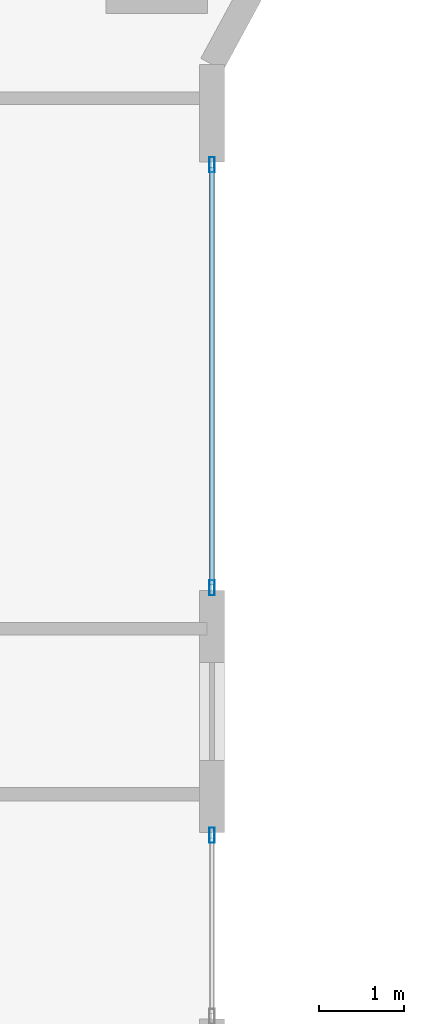
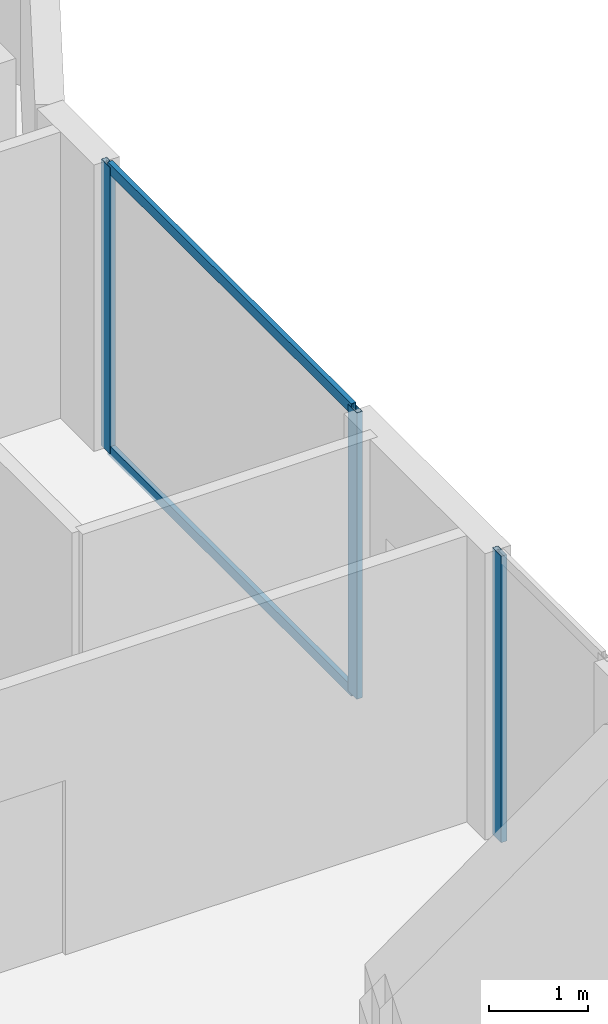
# One storey, part 12 of 32: 5 members, 2 elements without a shape of their own.
"""IFC4 building model written with IfcOpenShell, lengths in metres."""

from ifc_helpers import new_model, si_unit, direction, frame, origin, origin_2d, place, context, subcontext, project, spatial, hollow_rectangle, extrude, material, layer, layer_set, material_profile, profile_set, type_object, element, aggregate, save


model = new_model("IFC4")

# Units and contexts
model_context = context("Model", 3, precision=1e-05, world=origin(), true_north=direction((0.0, 1.0)))
body_context = subcontext(model_context, "Body", "Model", "MODEL_VIEW")
ifc_project = project(units=[si_unit("LENGTHUNIT", "METRE"), si_unit("AREAUNIT", "SQUARE_METRE"), si_unit("VOLUMEUNIT", "CUBIC_METRE"), si_unit("PLANEANGLEUNIT", "RADIAN"), si_unit("MASSUNIT", "GRAM", prefix="KILO")], contexts=[model_context])

# Site, building, storey
site_placement = place(None, origin())
site = spatial("IfcSite", under=ifc_project, at=site_placement, CompositionType="ELEMENT")
building_placement = place(site_placement, origin())
building = spatial("IfcBuilding", under=site, at=building_placement, Name="Zuhayl Quay Hotel", CompositionType="ELEMENT")
storey_placement = place(building_placement, frame((0.0, 0.0, 226.14990234375)))
storey = spatial("IfcBuildingStorey", under=building, at=storey_placement, Name="L57", CompositionType="ELEMENT", Elevation=226.14990234375)

# Curtain wall, members
ifc_material_1 = material(Name="Anodised Aluminium 6063-T6", Category="aluminium")
ifc_layer = layer(ifc_material_1, 0.175048828125, Name="Anodised Aluminium 6063-T6", Category="aluminium")
ifc_layer_set = layer_set([ifc_layer], Name="Anodised Aluminium 6063-T6")
curtain_wall_type = type_object("IfcCurtainWallType", Name="CW_SYS_Z3", PredefinedType="USERDEFINED", material=ifc_layer_set)
curtain_wall_1_placement = place(storey_placement, origin())
curtain_wall_1 = element("IfcCurtainWall", 1, at=curtain_wall_1_placement, inside=storey, type_object=curtain_wall_type, Name="L57 Curtain Wall ENV_L57_E14_CW1", ObjectType="UNITISED CURTAIN WALL", PredefinedType="USERDEFINED")
ifc_material_2 = material(Name="Black-anodised aluminium 6063-T6", Category="aluminium")
ifc_material_profile_1 = material_profile(ifc_material_2, hollow_rectangle(XDim=0.06494140625, YDim=0.179931640625, WallThickness=0.00341796875, at=origin_2d()), Name="ALU180X65")
ifc_profile_set_1 = profile_set([ifc_material_profile_1], Name="Black-anodised aluminium 6063-T6")
member_type_1 = type_object("IfcMemberType", Name="MB_CW_MUL_180", PredefinedType="MULLION", material=ifc_profile_set_1)
member_1_placement = place(storey_placement, frame((22.10009765625, 7.017578125, 0.0), z_axis=(0.0, 0.0, 1.0), x_axis=(1.0, 0.0, 0.0)))
member_1 = element("IfcMember", 2, at=member_1_placement, type_object=member_type_1, Name="CW-Z3 mullion 1", PredefinedType="MULLION", context=body_context, shape_type="SweptSolid", body=[
    extrude(hollow_rectangle(XDim=0.06494140625, YDim=0.179931640625, WallThickness=0.00341796875, at=origin_2d()), origin(), (0.0, 0.0, 1.0), 3.530029296875),
])
member_2_placement = place(storey_placement, frame((22.10009765625, 2.032470703125, 0.0), z_axis=(0.0, 0.0, 1.0), x_axis=(1.0, 0.0, 0.0)))
member_2 = element("IfcMember", 3, at=member_2_placement, type_object=member_type_1, Name="CW-Z3 mullion 2", PredefinedType="MULLION", context=body_context, shape_type="SweptSolid", body=[
    extrude(hollow_rectangle(XDim=0.06494140625, YDim=0.179931640625, WallThickness=0.00341796875, at=origin_2d()), origin(), (0.0, 0.0, 1.0), 3.530029296875),
])

# Curtain wall, member
curtain_wall_2_placement = place(storey_placement, origin())
curtain_wall_2 = element("IfcCurtainWall", 4, at=curtain_wall_2_placement, inside=storey, type_object=curtain_wall_type, Name="L57 Curtain Wall ENV_L57_E14_CW2", ObjectType="UNITISED CURTAIN WALL", PredefinedType="USERDEFINED")
member_3_placement = place(storey_placement, frame((22.10009765625, -0.882568359375, 0.0), z_axis=(0.0, 0.0, 1.0), x_axis=(1.0, 0.0, 0.0)))
member_3 = element("IfcMember", 5, at=member_3_placement, type_object=member_type_1, Name="CW-Z3 mullion 1", PredefinedType="MULLION", context=body_context, shape_type="SweptSolid", body=[
    extrude(hollow_rectangle(XDim=0.06494140625, YDim=0.179931640625, WallThickness=0.00341796875, at=origin_2d()), origin(), (0.0, 0.0, 1.0), 3.530029296875),
])
aggregate(curtain_wall_2, [member_3])

# Member
ifc_material_profile_2 = material_profile(ifc_material_2, hollow_rectangle(XDim=0.054931640625, YDim=0.1298828125, WallThickness=0.0029296875, at=origin_2d()), Name="ALU130X55")
ifc_profile_set_2 = profile_set([ifc_material_profile_2], Name="Black-anodised aluminium 6063-T6")
member_type_2 = type_object("IfcMemberType", Name="MB_CW_TRN_130", PredefinedType="USERDEFINED", material=ifc_profile_set_2)
member_4_placement = place(storey_placement, frame((22.10009765625, 6.985107421875, 0.027587890625), z_axis=(0.0, -1.0, 0.0), x_axis=(1.0, 0.0, 0.0)))
member_4 = element("IfcMember", 6, at=member_4_placement, type_object=member_type_2, Name="CW-Z3 transom 1.1", ObjectType="TRANSOM", PredefinedType="USERDEFINED", context=body_context, shape_type="SweptSolid", body=[
    extrude(hollow_rectangle(XDim=0.054931640625, YDim=0.1298828125, WallThickness=0.0029296875, at=origin_2d()), origin(), (0.0, 0.0, 1.0), 4.920166015625),
])

member_5_placement = place(storey_placement, frame((22.10009765625, 6.985107421875, 3.502685546875), z_axis=(0.0, -1.0, 0.0), x_axis=(1.0, 0.0, 0.0)))
member_5 = element("IfcMember", 7, at=member_5_placement, type_object=member_type_2, Name="CW-Z3 transom 1.2", ObjectType="TRANSOM", PredefinedType="USERDEFINED", context=body_context, shape_type="SweptSolid", body=[
    extrude(hollow_rectangle(XDim=0.054931640625, YDim=0.1298828125, WallThickness=0.0029296875, at=origin_2d()), origin(), (0.0, 0.0, 1.0), 4.920166015625),
])

aggregate(curtain_wall_1, [member_1, member_2, member_4, member_5])

save(model, "model.ifc")
